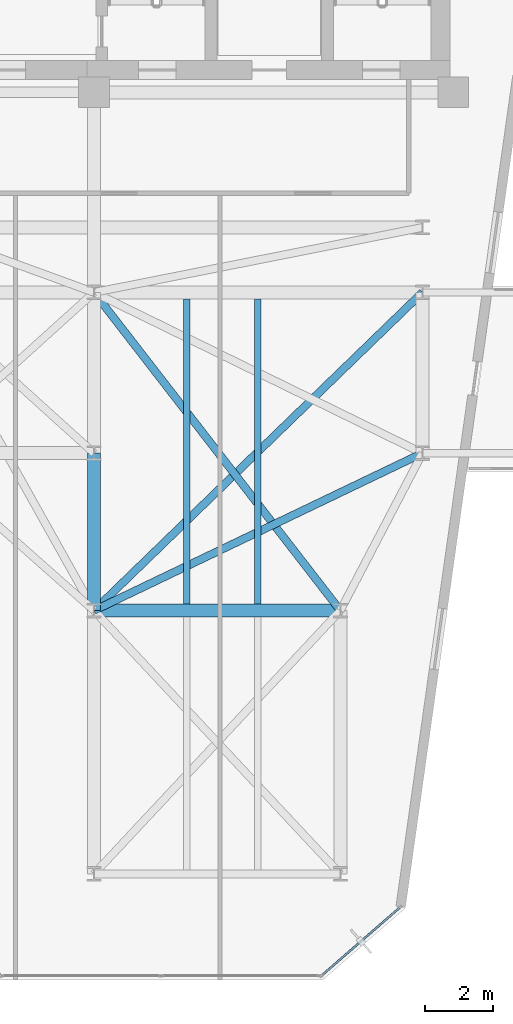
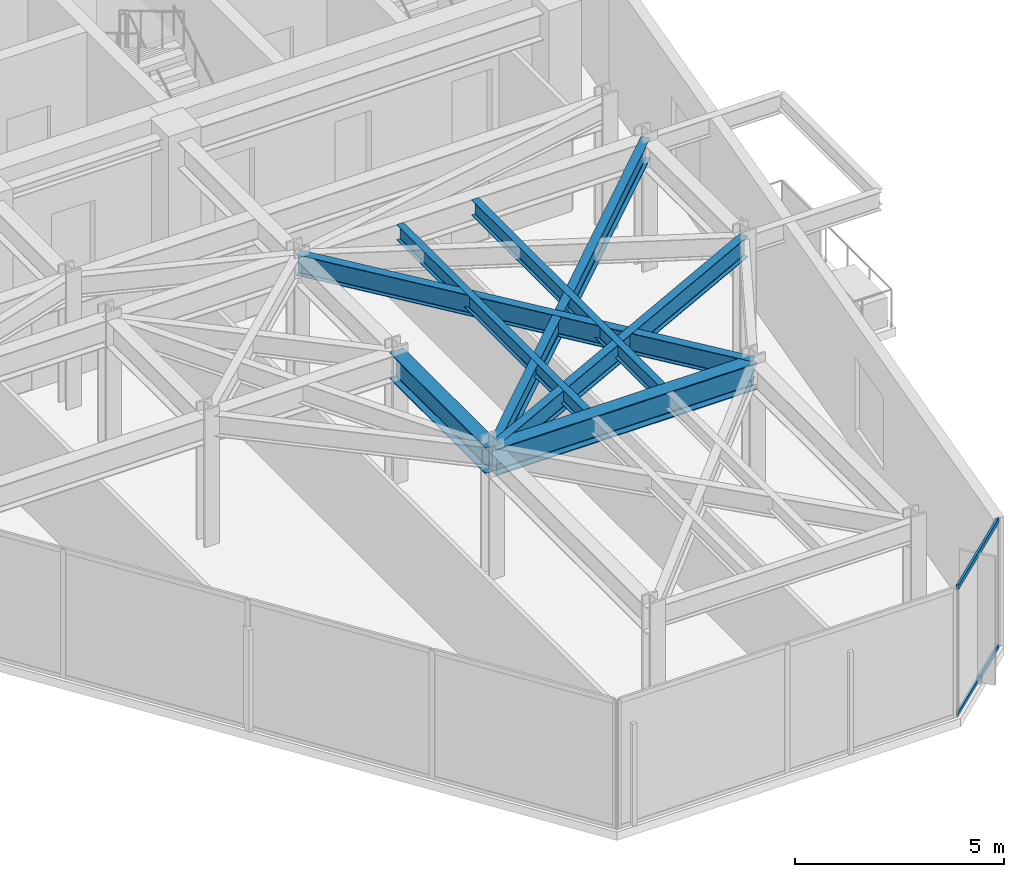
# One storey, part 19 of 26: 7 beams, 2 members, 1 element without a shape of its own.
"""IFC4 building model written with IfcOpenShell, lengths in metres."""

from ifc_helpers import new_model, si_unit, direction, frame, origin, origin_2d, place, context, subcontext, project, spatial, hollow_rectangle, i_section, extrude, material, layer, layer_set, material_profile, profile_set, type_object, element, aggregate, save


model = new_model("IFC4")

# Units and contexts
model_context = context("Model", 3, precision=1e-05, world=origin(), true_north=direction((0.0, 1.0)))
body_context = subcontext(model_context, "Body", "Model", "MODEL_VIEW")
ifc_project = project(units=[si_unit("LENGTHUNIT", "METRE"), si_unit("AREAUNIT", "SQUARE_METRE"), si_unit("VOLUMEUNIT", "CUBIC_METRE"), si_unit("PLANEANGLEUNIT", "RADIAN"), si_unit("MASSUNIT", "GRAM", prefix="KILO")], contexts=[model_context])

# Site, building, storey
site_placement = place(None, origin())
site = spatial("IfcSite", under=ifc_project, at=site_placement, CompositionType="ELEMENT")
building_placement = place(site_placement, origin())
building = spatial("IfcBuilding", under=site, at=building_placement, Name="Kravanh Interchange Tower", CompositionType="ELEMENT")
storey_placement = place(building_placement, frame((0.0, 0.0, 172.5)))
storey = spatial("IfcBuildingStorey", under=building, at=storey_placement, Name="L41", CompositionType="ELEMENT", Elevation=172.5)

# Curtain wall, members
ifc_material_1 = material(Name="Anodised Bronze Aluminium", Category="aluminium")
ifc_layer = layer(ifc_material_1, 0.179931640625)
ifc_layer_set = layer_set([ifc_layer], Name="Unitised Curtain Wall System CW-Z3 Upper Office")
curtain_wall_type = type_object("IfcCurtainWallType", Name="Unitised Curtain Wall System CW-Z3 Upper Office", PredefinedType="NOTDEFINED", material=ifc_layer_set)
curtain_wall_placement = place(storey_placement, origin())
curtain_wall = element("IfcCurtainWall", 1, at=curtain_wall_placement, inside=storey, type_object=curtain_wall_type, Name="L41 Unitised Curtain Wall CW-L41-02", PredefinedType="NOTDEFINED")
ifc_material_2 = material(Name="Anodised Bronze Aluminium", Category="aluminium")
ifc_material_profile_1 = material_profile(ifc_material_2, hollow_rectangle(XDim=0.06005859375, YDim=0.139892578125, WallThickness=0.00390625, at=origin_2d()), Name="ALU60X140X4")
ifc_profile_set_1 = profile_set([ifc_material_profile_1], Name="Anodised Bronze Aluminium")
member_type = type_object("IfcMemberType", Name="Curtain Wall Transom ALU60X140X4 Bronze", PredefinedType="USERDEFINED", material=ifc_profile_set_1)
member_1_placement = place(storey_placement, frame((64.92041015625, 13.501220703125, 0.030029296875), z_axis=(-0.754744002238, -0.656019428893, 0.0), x_axis=(0.656019428893, -0.754744002238, 0.0)))
member_1 = element("IfcMember", 2, at=member_1_placement, type_object=member_type, Name="CW-Z3 transom 1.1", ObjectType="TRANSOM", PredefinedType="USERDEFINED", context=body_context, shape_type="SweptSolid", body=[
    extrude(hollow_rectangle(XDim=0.06005859375, YDim=0.139892578125, WallThickness=0.00390625, at=origin_2d()), origin(), (0.0, 0.0, 1.0), 2.960205078125),
])
member_2_placement = place(storey_placement, frame((64.92041015625, 13.501220703125, 3.72509765625), z_axis=(-0.754744002238, -0.656019428893, 0.0), x_axis=(0.656019428893, -0.754744002238, 0.0)))
member_2 = element("IfcMember", 3, at=member_2_placement, type_object=member_type, Name="CW-Z3 transom 1.2", ObjectType="TRANSOM", PredefinedType="USERDEFINED", context=body_context, shape_type="SweptSolid", body=[
    extrude(hollow_rectangle(XDim=0.06005859375, YDim=0.139892578125, WallThickness=0.00390625, at=origin_2d()), origin(), (0.0, 0.0, 1.0), 2.960205078125),
])
aggregate(curtain_wall, [member_1, member_2])

# Beams
ifc_material_3 = material(Name="Structural Steel S355", Category="steel")
ifc_material_profile_2 = material_profile(ifc_material_3, i_section(OverallWidth=0.381103515625, OverallDepth=0.77294921875, WebThickness=0.0166015625, FlangeThickness=0.027099609375, FilletRadius=0.02490234375, at=origin_2d()), Name="W30X173")
ifc_profile_set_2 = profile_set([ifc_material_profile_2], Name="Structural Steel S355")
beam_type_1 = type_object("IfcBeamType", Name="Floor Beam W30X173 Structural Steel S355", PredefinedType="BEAM", material=ifc_profile_set_2)
beam_1_placement = place(storey_placement, frame((56.0, 26.800048828125, 3.368408203125), z_axis=(0.0, -1.0, 0.0), x_axis=(1.0, 0.0, 0.0)))
element("IfcBeam", 4, at=beam_1_placement, inside=storey, type_object=beam_type_1, Name="L41 Primary Floor Girder 53", PredefinedType="BEAM", context=body_context, shape_type="SweptSolid", body=[
    extrude(i_section(OverallWidth=0.381103515625, OverallDepth=0.77294921875, WebThickness=0.0166015625, FlangeThickness=0.027099609375, FilletRadius=0.02490234375, at=origin_2d()), origin(), (0.0, 0.0, 1.0), 4.60009765625),
])
beam_2_placement = place(storey_placement, frame((56.0, 22.199951171875, 3.368408203125), z_axis=(1.0, 0.0, 0.0), x_axis=(0.0, 1.0, 0.0)))
element("IfcBeam", 5, at=beam_2_placement, inside=storey, type_object=beam_type_1, Name="L41 Primary Floor Girder 92", PredefinedType="BEAM", context=body_context, shape_type="SweptSolid", body=[
    extrude(i_section(OverallWidth=0.381103515625, OverallDepth=0.77294921875, WebThickness=0.0166015625, FlangeThickness=0.027099609375, FilletRadius=0.02490234375, at=origin_2d()), origin(), (0.0, 0.0, 1.0), 7.199951171875),
])
ifc_material_4 = material(Name="Structural Steel S355", Category="steel")
ifc_material_profile_3 = material_profile(ifc_material_4, i_section(OverallWidth=0.18994140625, OverallDepth=0.45703125, WebThickness=0.009033203125, FlangeThickness=0.014404296875, FilletRadius=0.01806640625, at=origin_2d()), Name="W18X50")
ifc_profile_set_3 = profile_set([ifc_material_profile_3], Name="Structural Steel S355")
beam_type_2 = type_object("IfcBeamType", Name="Floor Joist W18X50 Structural Steel S355", PredefinedType="JOIST", material=ifc_profile_set_3)
for number, where, z_axis, x_axis, name in (
    (6, (58.715087890625, 22.385498046875, 3.526611328125), (0.0, 1.0, 0.0), (-1.0, 0.0, 0.0), "L41 Secondary Floor Joist 7"),
    (7, (60.780029296875, 22.385498046875, 3.526611328125), (0.0, 1.0, 0.0), (-1.0, 0.0, 0.0), "L41 Secondary Floor Joist 8"),
):
    element("IfcBeam", number, at=place(storey_placement, frame(where, z_axis=z_axis, x_axis=x_axis)), inside=storey, type_object=beam_type_2, Name=name, PredefinedType="JOIST", context=body_context, shape_type="SweptSolid", body=[
        extrude(i_section(OverallWidth=0.18994140625, OverallDepth=0.45703125, WebThickness=0.009033203125, FlangeThickness=0.014404296875, FilletRadius=0.01806640625, at=origin_2d()), origin(), (0.0, 0.0, 1.0), 8.928955078125),
    ])
ifc_material_5 = material(Name="Structural Steel S355", Category="steel")
ifc_material_profile_4 = material_profile(ifc_material_5, i_section(OverallWidth=0.22802734375, OverallDepth=0.60791015625, WebThickness=0.01123046875, FlangeThickness=0.017333984375, FilletRadius=0.02197265625, at=origin_2d()), Name="W24X76")
ifc_profile_set_4 = profile_set([ifc_material_profile_4], Name="Structural Steel S355")
beam_type_3 = type_object("IfcBeamType", Name="Floor Spandrel W24X76 Structural Steel S355", PredefinedType="SPANDREL", material=ifc_profile_set_4)
beam_3_placement = place(storey_placement, frame((65.60009765625, 26.800048828125, 3.450927734375), z_axis=(-0.901814166789, -0.432124066188, 0.0), x_axis=(0.432124066188, -0.901814166789, 0.0)))
element("IfcBeam", 8, at=beam_3_placement, inside=storey, type_object=beam_type_3, Name="L41 Perimeter Spandrel 59", PredefinedType="SPANDREL", context=body_context, shape_type="SweptSolid", body=[
    extrude(i_section(OverallWidth=0.22802734375, OverallDepth=0.60791015625, WebThickness=0.01123046875, FlangeThickness=0.017333984375, FilletRadius=0.02197265625, at=origin_2d()), origin(), (0.0, 0.0, 1.0), 10.645263671875),
])
beam_4_placement = place(storey_placement, frame((56.0, 31.5, 3.450927734375), z_axis=(0.612168587637, -0.790727273028, 0.0), x_axis=(0.790727273028, 0.612168587637, 0.0)))
element("IfcBeam", 9, at=beam_4_placement, inside=storey, type_object=beam_type_3, Name="L41 Perimeter Spandrel 83", PredefinedType="SPANDREL", context=body_context, shape_type="SweptSolid", body=[
    extrude(i_section(OverallWidth=0.22802734375, OverallDepth=0.60791015625, WebThickness=0.01123046875, FlangeThickness=0.017333984375, FilletRadius=0.02197265625, at=origin_2d()), origin(), (0.0, 0.0, 1.0), 11.761474609375),
])
beam_5_placement = place(storey_placement, frame((65.60009765625, 31.5, 3.450927734375), z_axis=(-0.718241934329, -0.695793449072, 0.0), x_axis=(0.695793449072, -0.718241934329, 0.0)))
element("IfcBeam", 10, at=beam_5_placement, inside=storey, type_object=beam_type_3, Name="L41 Perimeter Spandrel 85", PredefinedType="SPANDREL", context=body_context, shape_type="SweptSolid", body=[
    extrude(i_section(OverallWidth=0.22802734375, OverallDepth=0.60791015625, WebThickness=0.01123046875, FlangeThickness=0.017333984375, FilletRadius=0.02197265625, at=origin_2d()), origin(), (0.0, 0.0, 1.0), 13.3662109375),
])

save(model, "model.ifc")
